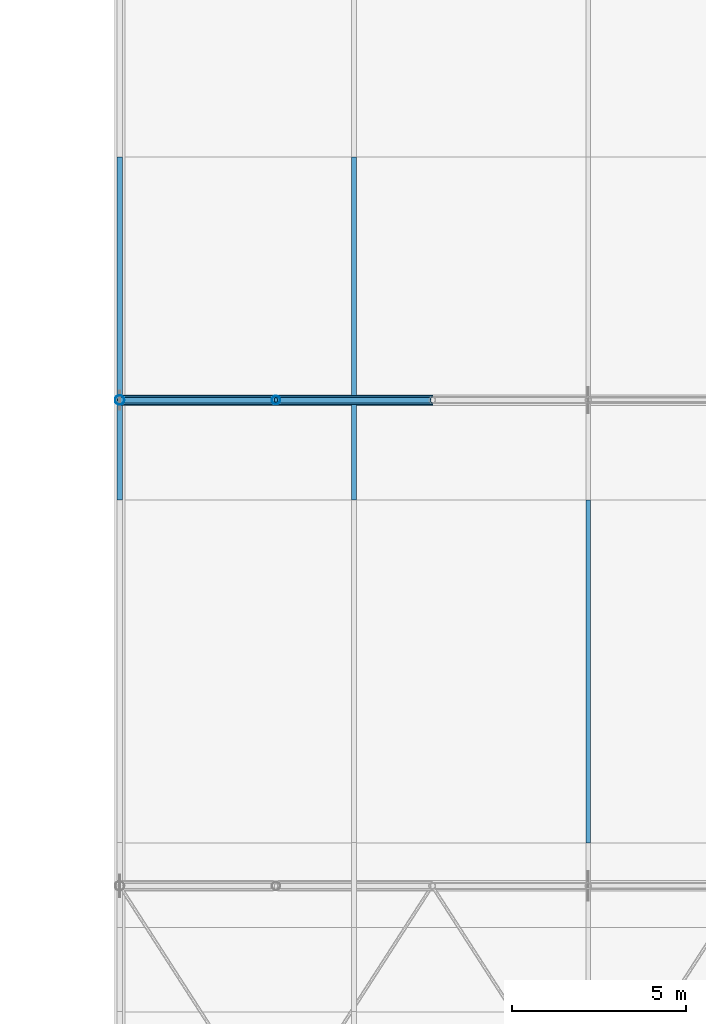
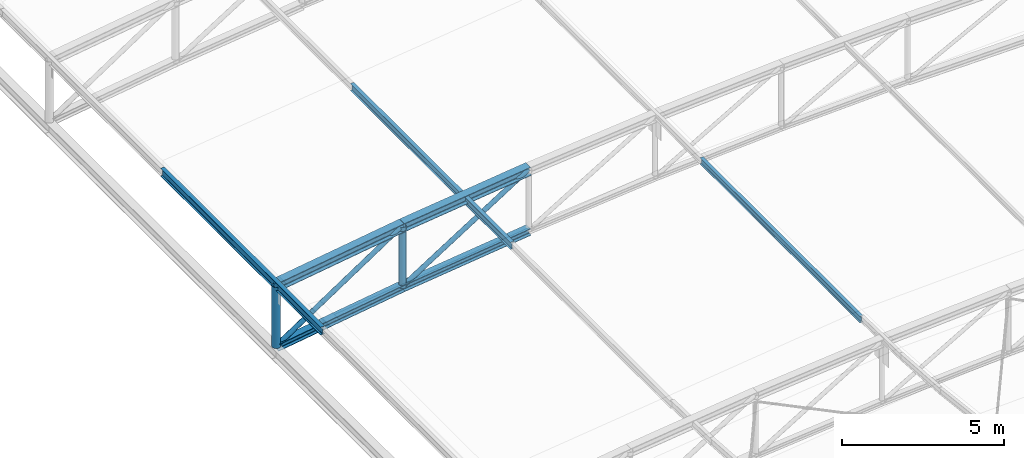
# One storey, part 159 of 262: 11 members.
"""IFC4 building model written with IfcOpenShell, lengths in metres."""

from ifc_helpers import new_model, si_unit, derived_unit, direction, frame, origin, origin_2d, place, context, subcontext, project, spatial, hollow_circle, i_section, extrude, material, material_profile, profile_set, type_object, element, save


model = new_model("IFC4")

# Units and contexts
model_context = context("Model", 3, precision=1e-05, world=origin(), true_north=direction((0.0, 1.0)))
body_context = subcontext(model_context, "Body", "Model", "MODEL_VIEW")
ifc_project = project(units=[si_unit("LENGTHUNIT", "METRE"), si_unit("AREAUNIT", "SQUARE_METRE"), si_unit("VOLUMEUNIT", "CUBIC_METRE"), si_unit("PLANEANGLEUNIT", "RADIAN"), si_unit("MASSUNIT", "GRAM", prefix="KILO"), derived_unit("THERMALTRANSMITTANCEUNIT", [(si_unit("POWERUNIT", "WATT"), 1), (si_unit("LENGTHUNIT", "METRE"), -2), (si_unit("THERMODYNAMICTEMPERATUREUNIT", "KELVIN"), -1)])], contexts=[model_context])

# Site, building, storey
site_placement = place(None, origin())
site = spatial("IfcSite", under=ifc_project, at=site_placement, CompositionType="ELEMENT")
building_placement = place(site_placement, origin())
building = spatial("IfcBuilding", under=site, at=building_placement, Name="Almenara Railside Exhibition Hall", CompositionType="ELEMENT")
storey_placement = place(building_placement, frame((0.0, 0.0, 21.699951171875)))
storey = spatial("IfcBuildingStorey", under=building, at=storey_placement, Name="RF", CompositionType="ELEMENT", Elevation=21.699951171875)

# Members
ifc_material = material(Name="Structural steel S355JR", Category="steel")
ifc_material_profile_1 = material_profile(ifc_material, i_section(OverallWidth=0.260009765625, OverallDepth=0.260009765625, WebThickness=0.010009765625, FlangeThickness=0.017578125, FilletRadius=0.02392578125, at=origin_2d()), Name="HEB 260")
ifc_profile_set_1 = profile_set([ifc_material_profile_1], Name="Structural steel S355JR")
member_type_1 = type_object("IfcMemberType", Name="Arched Truss Bottom Chord HEB 260 S355JR", PredefinedType="CHORD", material=ifc_profile_set_1)
member_1_placement = place(storey_placement, frame((138.0, 76.0, -9.599853515625), z_axis=(0.9890290442, 0.0, 0.147721189165), x_axis=(0.0, 1.0, 0.0)))
element("IfcMember", 1, at=member_1_placement, inside=storey, type_object=member_type_1, Name="MEM-BC-V2-03-00", PredefinedType="CHORD", context=body_context, shape_type="SweptSolid", body=[
    extrude(i_section(OverallWidth=0.260009765625, OverallDepth=0.260009765625, WebThickness=0.010009765625, FlangeThickness=0.017578125, FilletRadius=0.02392578125, at=origin_2d()), origin(), (0.0, 0.0, 1.0), 4.5498046875),
])
member_2_placement = place(storey_placement, frame((142.5, 76.0, -8.927734375), z_axis=(0.992612220818, 0.0, 0.121330041965), x_axis=(0.0, 1.0, 0.0)))
element("IfcMember", 2, at=member_2_placement, inside=storey, type_object=member_type_1, Name="MEM-BC-V2-03-01", PredefinedType="CHORD", context=body_context, shape_type="SweptSolid", body=[
    extrude(i_section(OverallWidth=0.260009765625, OverallDepth=0.260009765625, WebThickness=0.010009765625, FlangeThickness=0.017578125, FilletRadius=0.02392578125, at=origin_2d()), origin(), (0.0, 0.0, 1.0), 4.533447265625),
])
ifc_material_profile_2 = material_profile(ifc_material, i_section(OverallWidth=0.300048828125, OverallDepth=0.320068359375, WebThickness=0.011474609375, FlangeThickness=0.0205078125, FilletRadius=0.027099609375, at=origin_2d()), Name="HEB 320")
ifc_profile_set_2 = profile_set([ifc_material_profile_2], Name="Structural steel S355JR")
member_type_2 = type_object("IfcMemberType", Name="Arched Truss Top Chord HEB 320 S355JR", PredefinedType="CHORD", material=ifc_profile_set_2)
member_3_placement = place(storey_placement, frame((138.0, 76.0, -7.300048828125), z_axis=(0.989021203369, 0.0, 0.147773675894), x_axis=(0.0, 1.0, 0.0)))
element("IfcMember", 3, at=member_3_placement, inside=storey, type_object=member_type_2, Name="MEM-TC-V2-03-00", PredefinedType="CHORD", context=body_context, shape_type="SweptSolid", body=[
    extrude(i_section(OverallWidth=0.300048828125, OverallDepth=0.320068359375, WebThickness=0.011474609375, FlangeThickness=0.0205078125, FilletRadius=0.027099609375, at=origin_2d()), origin(), (0.0, 0.0, 1.0), 4.550048828125),
])
member_4_placement = place(storey_placement, frame((142.5, 76.0, -6.627685546875), z_axis=(0.992612220818, 0.0, 0.121330041965), x_axis=(0.0, 1.0, 0.0)))
element("IfcMember", 4, at=member_4_placement, inside=storey, type_object=member_type_2, Name="MEM-TC-V2-03-01", PredefinedType="CHORD", context=body_context, shape_type="SweptSolid", body=[
    extrude(i_section(OverallWidth=0.300048828125, OverallDepth=0.320068359375, WebThickness=0.011474609375, FlangeThickness=0.0205078125, FilletRadius=0.027099609375, at=origin_2d()), origin(), (0.0, 0.0, 1.0), 4.533447265625),
])
ifc_material_profile_3 = material_profile(ifc_material, i_section(OverallWidth=0.14990234375, OverallDepth=0.300048828125, WebThickness=0.007080078125, FlangeThickness=0.0107421875, FilletRadius=0.014892578125, at=origin_2d()), Name="IPE 300")
ifc_profile_set_3 = profile_set([ifc_material_profile_3], Name="Structural steel S355JR")
member_type_3 = type_object("IfcMemberType", Name="East Hall Ridge Purlin IPE 300 S355JR", PredefinedType="PURLIN", material=ifc_profile_set_3)
member_5_placement = place(storey_placement, frame((138.0, 73.1201171875, -7.269775390625), z_axis=(0.0, 1.0, 0.0), x_axis=(-1.0, 0.0, 0.0)))
element("IfcMember", 5, at=member_5_placement, inside=storey, type_object=member_type_3, Name="MEM-PR-V2-PR-IPE300-00-13", PredefinedType="PURLIN", context=body_context, shape_type="SweptSolid", body=[
    extrude(i_section(OverallWidth=0.14990234375, OverallDepth=0.300048828125, WebThickness=0.007080078125, FlangeThickness=0.0107421875, FilletRadius=0.014892578125, at=origin_2d()), origin(), (0.0, 0.0, 1.0), 9.8798828125),
])
ifc_material_profile_4 = material_profile(ifc_material, i_section(OverallWidth=0.135009765625, OverallDepth=0.27001953125, WebThickness=0.006591796875, FlangeThickness=0.01025390625, FilletRadius=0.014892578125, at=origin_2d()), Name="IPE 270")
ifc_profile_set_4 = profile_set([ifc_material_profile_4], Name="Structural steel S355JR")
member_type_4 = type_object("IfcMemberType", Name="East Hall Standard Purlin IPE 270 S355JR", PredefinedType="PURLIN", material=ifc_profile_set_4)
member_6_placement = place(storey_placement, frame((144.75, 73.1201171875, -6.425537109375), z_axis=(0.0, 1.0, 0.0), x_axis=(-1.0, 0.0, 0.0)))
element("IfcMember", 6, at=member_6_placement, inside=storey, type_object=member_type_4, Name="MEM-PR-V2-PR-IPE270-01-13", PredefinedType="PURLIN", context=body_context, shape_type="SweptSolid", body=[
    extrude(i_section(OverallWidth=0.135009765625, OverallDepth=0.27001953125, WebThickness=0.006591796875, FlangeThickness=0.01025390625, FilletRadius=0.014892578125, at=origin_2d()), origin(), (0.0, 0.0, 1.0), 9.8798828125),
])
ifc_material_profile_5 = material_profile(ifc_material, i_section(OverallWidth=0.1201171875, OverallDepth=0.239990234375, WebThickness=0.006103515625, FlangeThickness=0.009765625, FilletRadius=0.014892578125, at=origin_2d()), Name="IPE 240")
ifc_profile_set_5 = profile_set([ifc_material_profile_5], Name="Structural steel S355JR")
member_type_5 = type_object("IfcMemberType", Name="Scroll Roof Purlin IPE 240 S355JR", PredefinedType="PURLIN", material=ifc_profile_set_5)
member_7_placement = place(storey_placement, frame((151.5, 63.240478515625, -5.582275390625), z_axis=(0.0, 1.0, 0.0), x_axis=(-1.0, 0.0, 0.0)))
element("IfcMember", 7, at=member_7_placement, inside=storey, type_object=member_type_5, Name="MEM-PR-V2-PR-IPE240-02-12", PredefinedType="PURLIN", context=body_context, shape_type="SweptSolid", body=[
    extrude(i_section(OverallWidth=0.1201171875, OverallDepth=0.239990234375, WebThickness=0.006103515625, FlangeThickness=0.009765625, FilletRadius=0.014892578125, at=origin_2d()), origin(), (0.0, 0.0, 1.0), 9.879638671875),
])
ifc_material_profile_6 = material_profile(ifc_material, hollow_circle(Radius=0.084228515625, WallThickness=0.006103515625, at=origin_2d()), Name="CHS 168.3x6")
ifc_profile_set_6 = profile_set([ifc_material_profile_6], Name="Structural steel S355JR")
member_type_6 = type_object("IfcMemberType", Name="Truss End Diagonal CHS 168.3x6 S355JR", PredefinedType="BRACE", material=ifc_profile_set_6)
member_8_placement = place(storey_placement, frame((138.0, 76.0, -9.599853515625), z_axis=(0.834424544227, 0.0, 0.551122200598), x_axis=(0.0, 1.0, 0.0)))
element("IfcMember", 8, at=member_8_placement, inside=storey, type_object=member_type_6, Name="MEM-TD-V2-03-00", PredefinedType="BRACE", context=body_context, shape_type="SweptSolid", body=[
    extrude(hollow_circle(Radius=0.084228515625, WallThickness=0.006103515625, at=origin_2d()), origin(), (0.0, 0.0, 1.0), 5.392822265625),
])
member_9_placement = place(storey_placement, frame((142.5, 76.0, -8.927734375), z_axis=(0.844810788273, 0.0, 0.535065166141), x_axis=(0.0, 1.0, 0.0)))
element("IfcMember", 9, at=member_9_placement, inside=storey, type_object=member_type_6, Name="MEM-TD-V2-03-01", PredefinedType="BRACE", context=body_context, shape_type="SweptSolid", body=[
    extrude(hollow_circle(Radius=0.084228515625, WallThickness=0.006103515625, at=origin_2d()), origin(), (0.0, 0.0, 1.0), 5.32666015625),
])
ifc_material_profile_7 = material_profile(ifc_material, hollow_circle(Radius=0.122314453125, WallThickness=0.008056640625, at=origin_2d()), Name="CHS 244.5x8")
ifc_profile_set_7 = profile_set([ifc_material_profile_7], Name="Structural steel S355JR")
member_type_7 = type_object("IfcMemberType", Name="Truss Haunch Vertical Strut CHS 244.5x8 S355JR", PredefinedType="BRACE", material=ifc_profile_set_7)
member_10_placement = place(storey_placement, frame((142.5, 76.0, -8.927734375), z_axis=(0.0, 0.0, 1.0), x_axis=(1.0, 0.0, 0.0)))
element("IfcMember", 10, at=member_10_placement, inside=storey, type_object=member_type_7, Name="MEM-TV-V2-03-01", PredefinedType="BRACE", context=body_context, shape_type="SweptSolid", body=[
    extrude(hollow_circle(Radius=0.122314453125, WallThickness=0.008056640625, at=origin_2d()), origin(), (0.0, 0.0, 1.0), 2.300048828125),
])
ifc_material_profile_8 = material_profile(ifc_material, hollow_circle(Radius=0.136474609375, WallThickness=0.008056640625, at=origin_2d()), Name="CHS 273x8")
ifc_profile_set_8 = profile_set([ifc_material_profile_8], Name="Structural steel S355JR")
member_type_8 = type_object("IfcMemberType", Name="Truss Support Vertical Strut CHS 273x8 S355JR", PredefinedType="BRACE", material=ifc_profile_set_8)
member_11_placement = place(storey_placement, frame((138.0, 76.0, -9.599853515625), z_axis=(0.0, 0.0, 1.0), x_axis=(1.0, 0.0, 0.0)))
element("IfcMember", 11, at=member_11_placement, inside=storey, type_object=member_type_8, Name="MEM-TV-V2-03-00", PredefinedType="BRACE", context=body_context, shape_type="SweptSolid", body=[
    extrude(hollow_circle(Radius=0.136474609375, WallThickness=0.008056640625, at=origin_2d()), origin(), (0.0, 0.0, 1.0), 2.2998046875),
])

save(model, "model.ifc")
